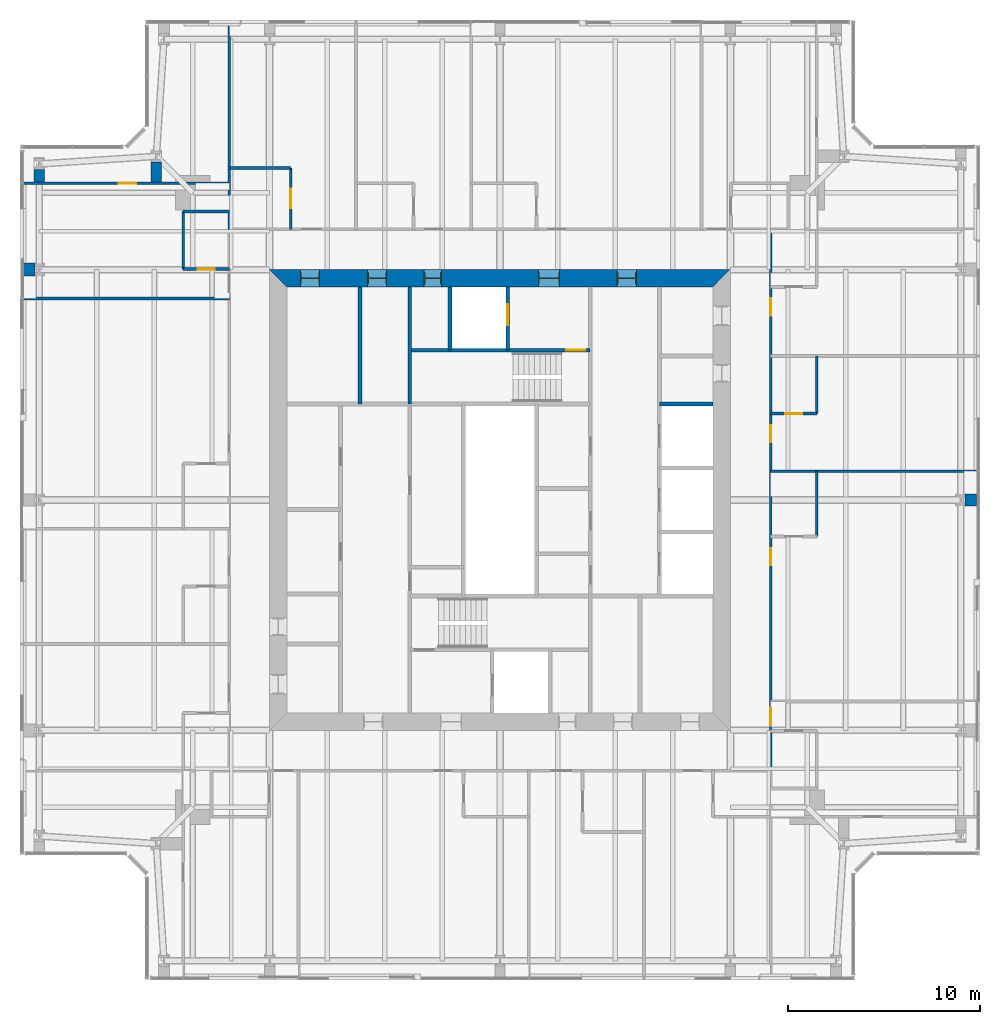
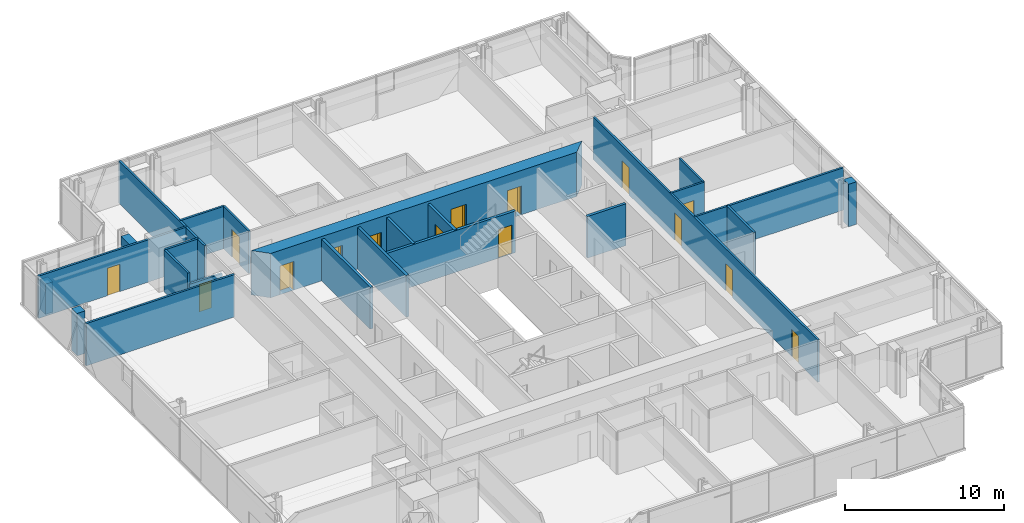
# One storey, part 14 of 18: 24 walls, 15 doors, 15 openings.
"""IFC4 building model written with IfcOpenShell, lengths in metres."""

from ifc_helpers import new_model, si_unit, direction, frame, frame_2d, origin, place, context, subcontext, project, spatial, polyline, rectangle, outline, extrude, material, layer, layer_set, type_object, element, fill, save


model = new_model("IFC4")

# Units and contexts
model_context = context("Model", 3, precision=1e-05, world=origin(), true_north=direction((0.0, 1.0)))
body_context = subcontext(model_context, "Body", "Model", "MODEL_VIEW")
ifc_project = project(units=[si_unit("LENGTHUNIT", "METRE"), si_unit("AREAUNIT", "SQUARE_METRE"), si_unit("VOLUMEUNIT", "CUBIC_METRE"), si_unit("PLANEANGLEUNIT", "RADIAN"), si_unit("MASSUNIT", "GRAM", prefix="KILO")], contexts=[model_context])

# Site, building, storey
site_placement = place(None, origin())
site = spatial("IfcSite", under=ifc_project, at=site_placement, CompositionType="ELEMENT")
building_placement = place(site_placement, origin())
building = spatial("IfcBuilding", under=site, at=building_placement, Name="Fenwick Lantern Interchange", CompositionType="ELEMENT")
storey_placement = place(building_placement, frame((0.0, 0.0, 262.800048828125)))
storey = spatial("IfcBuildingStorey", under=building, at=storey_placement, Name="L62", CompositionType="ELEMENT", Elevation=262.800048828125)

# Walls
ifc_material_1 = material(Name="Fire-rated gypsum board encasement on steel studs, 2 hour", Category="steel")
ifc_layer_1 = layer(ifc_material_1, 0.554931640625)
ifc_layer_set_1 = layer_set([ifc_layer_1], Name="COLUMN PIER 555")
wall_type_1 = type_object("IfcWallType", Name="COLUMN PIER 555", PredefinedType="PARTITIONING", material=ifc_layer_set_1)
wall_1_placement = place(storey_placement, frame((7.10009765625, 41.574951171875, 0.0), z_axis=(0.0, 0.0, 1.0), x_axis=(0.0, 1.0, 0.0)))
element("IfcWall", 1, at=wall_1_placement, inside=storey, type_object=wall_type_1, Name="L62/W/PIER/CNR", PredefinedType="PARTITIONING", context=body_context, shape_type="SweptSolid", body=[
    extrude(rectangle(XDim=1.04052734375, YDim=0.554931640625, at=frame_2d((0.520263671875, 0.0))), origin(), (0.0, 0.0, 1.0), 3.25),
])
wall_2_placement = place(storey_placement, frame((1.0, 41.574951171875, 0.0), z_axis=(0.0, 0.0, 1.0), x_axis=(0.0, 1.0, 0.0)))
element("IfcWall", 2, at=wall_2_placement, inside=storey, type_object=wall_type_1, Name="L62/W/PIER/CW1", PredefinedType="PARTITIONING", context=body_context, shape_type="SweptSolid", body=[
    extrude(rectangle(XDim=0.640625, YDim=0.554931640625, at=frame_2d((0.3203125, 0.0))), origin(), (0.0, 0.0, 1.0), 2.338134765625),
])
ifc_layer_2 = layer(ifc_material_1, 0.631103515625)
ifc_layer_set_2 = layer_set([ifc_layer_2], Name="COLUMN PIER 631")
wall_type_2 = type_object("IfcWallType", Name="COLUMN PIER 631", PredefinedType="PARTITIONING", material=ifc_layer_set_2)
wall_3_placement = place(storey_placement, frame((49.81005859375, 25.0, 0.0), z_axis=(0.0, 0.0, 1.0), x_axis=(-1.0, 0.0, 0.0)))
element("IfcWall", 3, at=wall_3_placement, inside=storey, type_object=wall_type_2, Name="L62/W/PIER/CE3", PredefinedType="PARTITIONING", context=body_context, shape_type="SweptSolid", body=[
    extrude(rectangle(XDim=0.589111328125, YDim=0.631103515625, at=frame_2d((0.29443359375, 0.0))), origin(), (0.0, 0.0, 1.0), 3.25),
])
ifc_layer_3 = layer(ifc_material_1, 0.6689453125)
ifc_layer_set_3 = layer_set([ifc_layer_3], Name="COLUMN PIER 669")
wall_type_3 = type_object("IfcWallType", Name="COLUMN PIER 669", PredefinedType="PARTITIONING", material=ifc_layer_set_3)
wall_4_placement = place(storey_placement, frame((0.18994140625, 37.0, 0.0), z_axis=(0.0, 0.0, 1.0), x_axis=(1.0, 0.0, 0.0)))
element("IfcWall", 4, at=wall_4_placement, inside=storey, type_object=wall_type_3, Name="L62/W/PIER/CW2", PredefinedType="PARTITIONING", context=body_context, shape_type="SweptSolid", body=[
    extrude(rectangle(XDim=0.582763671875, YDim=0.6689453125, at=frame_2d((0.29150390625, 0.0))), origin(), (0.0, 0.0, 1.0), 3.25),
])
ifc_material_2 = material(Name="Concrete masonry ASTM C90 Grade N", Category="masonry")
ifc_layer_4 = layer(ifc_material_2, 0.199951171875)
ifc_layer_set_4 = layer_set([ifc_layer_4], Name="Concrete masonry ASTM C90 Grade N")
wall_type_4 = type_object("IfcWallType", Name="CORE PARTITION 200", PredefinedType="PARTITIONING", material=ifc_layer_set_4)
wall_5_placement = place(storey_placement, frame((36.10009765625, 30.0, 0.0), z_axis=(0.0, 0.0, 1.0), x_axis=(-1.0, 0.0, 0.0)))
element("IfcWall", 5, at=wall_5_placement, inside=storey, type_object=wall_type_4, Name="L62/W/COREN/c2", PredefinedType="PARTITIONING", context=body_context, shape_type="SweptSolid", body=[
    extrude(rectangle(XDim=2.800048828125, YDim=0.199951171875, at=frame_2d((1.39990234375, 0.0))), origin(), (0.0, 0.0, 1.0), 3.199951171875),
])

# Wall, opening, door
wall_6_placement = place(storey_placement, frame((25.39990234375, 36.10009765625, 0.0), z_axis=(0.0, 0.0, 1.0), x_axis=(0.0, -1.0, 0.0)))
wall_6 = element("IfcWall", 6, at=wall_6_placement, inside=storey, type_object=wall_type_4, Name="L62/W/COREN/h1", PredefinedType="PARTITIONING", context=body_context, shape_type="SweptSolid", body=[
    extrude(rectangle(XDim=3.300048828125, YDim=0.199951171875, at=frame_2d((1.64990234375, 0.0))), origin(), (0.0, 0.0, 1.0), 3.199951171875),
])
opening_1_placement = place(wall_6_placement, frame((0.89990234375, 0.0, 0.0)))
opening_1 = element("IfcOpeningElement", 7, at=opening_1_placement, cuts=wall_6, Name="Opening LD-FL2", PredefinedType="OPENING", context=body_context, shape_type="SweptSolid", body=[
    extrude(rectangle(XDim=1.10009765625, YDim=2.199951171875, at=frame_2d((0.550048828125, 1.10009765625))), frame((0.0, 0.10986328125, 0.0), z_axis=(0.0, -1.0, 0.0), x_axis=(1.0, 0.0, 0.0)), (0.0, 0.0, 1.0), 0.219970703125),
])
ifc_material_3 = material(Name="Steel door and frame", Category="steel")
door_type_1 = type_object("IfcDoorType", Name="LIFT LANDING DOOR 1100 X 2200", OperationType="DOUBLE_DOOR_SLIDING", PredefinedType="DOOR", material=ifc_material_3)
door_1_placement = place(opening_1_placement, origin())
door_1 = element("IfcDoor", 8, at=door_1_placement, inside=storey, type_object=door_type_1, Name="Lift landing door FL2", OperationType="DOUBLE_DOOR_SLIDING", OverallHeight=2.199951171875, OverallWidth=1.10009765625, PredefinedType="DOOR", context=body_context, shape_type="SweptSolid", body=[
    extrude(rectangle(XDim=1.10009765625, YDim=2.199951171875, at=frame_2d((0.550048828125, 1.10009765625))), frame((0.0, 0.02490234375, 0.0), z_axis=(0.0, -1.0, 0.0), x_axis=(1.0, 0.0, 0.0)), (0.0, 0.0, 1.0), 0.050048828125),
])
fill(opening_1, door_1)

# Walls
wall_7_placement = place(storey_placement, frame((22.39990234375, 36.10009765625, 0.0), z_axis=(0.0, 0.0, 1.0), x_axis=(0.0, -1.0, 0.0)))
element("IfcWall", 9, at=wall_7_placement, inside=storey, type_object=wall_type_4, Name="L62/W/COREN/h2", PredefinedType="PARTITIONING", context=body_context, shape_type="SweptSolid", body=[
    extrude(rectangle(XDim=3.300048828125, YDim=0.199951171875, at=frame_2d((1.64990234375, 0.0))), origin(), (0.0, 0.0, 1.0), 3.199951171875),
])
wall_8_placement = place(storey_placement, frame((17.699951171875, 36.10009765625, 0.0), z_axis=(0.0, 0.0, 1.0), x_axis=(0.0, -1.0, 0.0)))
element("IfcWall", 10, at=wall_8_placement, inside=storey, type_object=wall_type_4, Name="L62/W/COREN/i2", PredefinedType="PARTITIONING", context=body_context, shape_type="SweptSolid", body=[
    extrude(rectangle(XDim=6.10009765625, YDim=0.199951171875, at=frame_2d((3.050048828125, 0.0))), origin(), (0.0, 0.0, 1.0), 3.199951171875),
])

# Wall, openings, doors
ifc_material_4 = material(Name="Concrete f'c 70 MPa", Category="concrete")
ifc_layer_5 = layer(ifc_material_4, 0.89990234375)
ifc_layer_set_5 = layer_set([ifc_layer_5], Name="CORE WALL 900")
wall_type_5 = type_object("IfcWallType", Name="CORE WALL 900", PredefinedType="SHEAR", material=ifc_layer_set_5)
wall_9_placement = place(storey_placement, frame((37.0, 36.550048828125, 0.0), z_axis=(0.0, 0.0, 1.0), x_axis=(-1.0, 0.0, 0.0)))
wall_9 = element("IfcWall", 11, at=wall_9_placement, inside=storey, type_object=wall_type_5, Name="L62/CORE/N", PredefinedType="SHEAR", context=body_context, shape_type="SweptSolid", body=[
    extrude(outline(polyline([(0.0, -0.449951171875), (24.0, -0.449951171875), (23.10009765625, 0.449951171875), (0.89990234375, 0.449951171875), (0.0, -0.449951171875)])), origin(), (0.0, 0.0, 1.0), 3.39990234375),
])
opening_2_placement = place(wall_9_placement, frame((4.89990234375, 0.0, 0.0)))
opening_2 = element("IfcOpeningElement", 12, at=opening_2_placement, cuts=wall_9, Name="Opening L62-D013", PredefinedType="OPENING", context=body_context, shape_type="SweptSolid", body=[
    extrude(rectangle(XDim=1.0, YDim=2.199951171875, at=frame_2d((0.5, 1.10009765625))), frame((0.0, 0.4599609375, 0.0), z_axis=(0.0, -1.0, 0.0), x_axis=(1.0, 0.0, 0.0)), (0.0, 0.0, 1.0), 0.919921875),
])
opening_3_placement = place(wall_9_placement, frame((8.89990234375, 0.0, 0.0)))
opening_3 = element("IfcOpeningElement", 13, at=opening_3_placement, cuts=wall_9, Name="Opening L62-D014", PredefinedType="OPENING", context=body_context, shape_type="SweptSolid", body=[
    extrude(rectangle(XDim=1.10009765625, YDim=2.199951171875, at=frame_2d((0.550048828125, 1.10009765625))), frame((0.0, 0.4599609375, 0.0), z_axis=(0.0, -1.0, 0.0), x_axis=(1.0, 0.0, 0.0)), (0.0, 0.0, 1.0), 0.919921875),
])
opening_4_placement = place(wall_9_placement, frame((15.050048828125, 0.0, 0.0)))
opening_4 = element("IfcOpeningElement", 14, at=opening_4_placement, cuts=wall_9, Name="Opening L62-D016", PredefinedType="OPENING", context=body_context, shape_type="SweptSolid", body=[
    extrude(rectangle(XDim=0.89990234375, YDim=2.199951171875, at=frame_2d((0.449951171875, 1.10009765625))), frame((0.0, 0.4599609375, 0.0), z_axis=(0.0, -1.0, 0.0), x_axis=(1.0, 0.0, 0.0)), (0.0, 0.0, 1.0), 0.919921875),
])
opening_5_placement = place(wall_9_placement, frame((17.89990234375, 0.0, 0.0)))
opening_5 = element("IfcOpeningElement", 15, at=opening_5_placement, cuts=wall_9, Name="Opening L62-D017", PredefinedType="OPENING", context=body_context, shape_type="SweptSolid", body=[
    extrude(rectangle(XDim=1.0, YDim=2.199951171875, at=frame_2d((0.5, 1.10009765625))), frame((0.0, 0.4599609375, 0.0), z_axis=(0.0, -1.0, 0.0), x_axis=(1.0, 0.0, 0.0)), (0.0, 0.0, 1.0), 0.919921875),
])
opening_6_placement = place(wall_9_placement, frame((21.39990234375, 0.0, 0.0)))
opening_6 = element("IfcOpeningElement", 16, at=opening_6_placement, cuts=wall_9, Name="Opening L62-D018", PredefinedType="OPENING", context=body_context, shape_type="SweptSolid", body=[
    extrude(rectangle(XDim=1.0, YDim=2.199951171875, at=frame_2d((0.5, 1.10009765625))), frame((0.0, 0.4599609375, 0.0), z_axis=(0.0, -1.0, 0.0), x_axis=(1.0, 0.0, 0.0)), (0.0, 0.0, 1.0), 0.919921875),
])
door_type_2 = type_object("IfcDoorType", Name="CORE LOBBY DOOR 1000 X 2200", OperationType="SINGLE_SWING_LEFT", PredefinedType="DOOR", material=ifc_material_3)
door_2_placement = place(opening_2_placement, origin())
door_2 = element("IfcDoor", 17, at=door_2_placement, inside=storey, type_object=door_type_2, Name="Core lobby door", OperationType="SINGLE_SWING_LEFT", OverallHeight=2.199951171875, OverallWidth=1.0, PredefinedType="DOOR", context=body_context, shape_type="SweptSolid", body=[
    extrude(rectangle(XDim=1.0, YDim=2.199951171875, at=frame_2d((0.5, 1.10009765625))), frame((0.0, 0.02490234375, 0.0), z_axis=(0.0, -1.0, 0.0), x_axis=(1.0, 0.0, 0.0)), (0.0, 0.0, 1.0), 0.050048828125),
    extrude(outline(polyline([(0.0, 0.0), (0.0400390625, 0.0), (0.0400390625, 2.159912109375), (0.9599609375, 2.159912109375), (0.9599609375, 0.0), (1.0, 0.0), (1.0, 2.199951171875), (0.0, 2.199951171875), (0.0, 0.0)])), frame((0.0, 0.300048828125, 0.0), z_axis=(0.0, -1.0, 0.0), x_axis=(1.0, 0.0, 0.0)), (0.0, 0.0, 1.0), 0.60009765625),
])
fill(opening_2, door_2)
door_type_3 = type_object("IfcDoorType", Name="FIRE LOBBY DOOR 1100 X 2200", OperationType="SINGLE_SWING_LEFT", PredefinedType="DOOR", material=ifc_material_3)
door_3_placement = place(opening_3_placement, origin())
door_3 = element("IfcDoor", 18, at=door_3_placement, inside=storey, type_object=door_type_3, Name="Fire lobby door", OperationType="SINGLE_SWING_LEFT", OverallHeight=2.199951171875, OverallWidth=1.10009765625, PredefinedType="DOOR", context=body_context, shape_type="SweptSolid", body=[
    extrude(rectangle(XDim=1.10009765625, YDim=2.199951171875, at=frame_2d((0.550048828125, 1.10009765625))), frame((0.0, 0.02490234375, 0.0), z_axis=(0.0, -1.0, 0.0), x_axis=(1.0, 0.0, 0.0)), (0.0, 0.0, 1.0), 0.050048828125),
    extrude(outline(polyline([(0.0, 0.0), (0.0400390625, 0.0), (0.0400390625, 2.159912109375), (1.06005859375, 2.159912109375), (1.06005859375, 0.0), (1.10009765625, 0.0), (1.10009765625, 2.199951171875), (0.0, 2.199951171875), (0.0, 0.0)])), frame((0.0, 0.300048828125, 0.0), z_axis=(0.0, -1.0, 0.0), x_axis=(1.0, 0.0, 0.0)), (0.0, 0.0, 1.0), 0.60009765625),
])
fill(opening_3, door_3)
door_type_4 = type_object("IfcDoorType", Name="SERVICE DOOR 900 X 2200", OperationType="SINGLE_SWING_LEFT", PredefinedType="DOOR", material=ifc_material_3)
door_4_placement = place(opening_4_placement, origin())
door_4 = element("IfcDoor", 19, at=door_4_placement, inside=storey, type_object=door_type_4, Name="Service door", OperationType="SINGLE_SWING_LEFT", OverallHeight=2.199951171875, OverallWidth=0.89990234375, PredefinedType="DOOR", context=body_context, shape_type="SweptSolid", body=[
    extrude(rectangle(XDim=0.89990234375, YDim=2.199951171875, at=frame_2d((0.449951171875, 1.10009765625))), frame((0.0, 0.02490234375, 0.0), z_axis=(0.0, -1.0, 0.0), x_axis=(1.0, 0.0, 0.0)), (0.0, 0.0, 1.0), 0.050048828125),
    extrude(outline(polyline([(0.0, 0.0), (0.0400390625, 0.0), (0.0400390625, 2.159912109375), (0.85986328125, 2.159912109375), (0.85986328125, 0.0), (0.89990234375, 0.0), (0.89990234375, 2.199951171875), (0.0, 2.199951171875), (0.0, 0.0)])), frame((0.0, 0.300048828125, 0.0), z_axis=(0.0, -1.0, 0.0), x_axis=(1.0, 0.0, 0.0)), (0.0, 0.0, 1.0), 0.60009765625),
])
fill(opening_4, door_4)
ifc_material_5 = material(Name="Hardwood door and steel frame", Category="steel")
door_type_5 = type_object("IfcDoorType", Name="WC DOOR 1000 X 2200", OperationType="SINGLE_SWING_LEFT", PredefinedType="DOOR", material=ifc_material_5)
door_5_placement = place(opening_5_placement, origin())
door_5 = element("IfcDoor", 20, at=door_5_placement, inside=storey, type_object=door_type_5, Name="Wc door", OperationType="SINGLE_SWING_RIGHT", OverallHeight=2.199951171875, OverallWidth=1.0, PredefinedType="DOOR", context=body_context, shape_type="SweptSolid", body=[
    extrude(rectangle(XDim=1.0, YDim=2.199951171875, at=frame_2d((0.5, 1.10009765625))), frame((0.0, 0.02490234375, 0.0), z_axis=(0.0, -1.0, 0.0), x_axis=(1.0, 0.0, 0.0)), (0.0, 0.0, 1.0), 0.050048828125),
    extrude(outline(polyline([(0.0, 0.0), (0.0400390625, 0.0), (0.0400390625, 2.159912109375), (0.9599609375, 2.159912109375), (0.9599609375, 0.0), (1.0, 0.0), (1.0, 2.199951171875), (0.0, 2.199951171875), (0.0, 0.0)])), frame((0.0, 0.300048828125, 0.0), z_axis=(0.0, -1.0, 0.0), x_axis=(1.0, 0.0, 0.0)), (0.0, 0.0, 1.0), 0.60009765625),
])
fill(opening_5, door_5)
door_6_placement = place(opening_6_placement, origin())
door_6 = element("IfcDoor", 21, at=door_6_placement, inside=storey, type_object=door_type_5, Name="Wc door", OperationType="SINGLE_SWING_RIGHT", OverallHeight=2.199951171875, OverallWidth=1.0, PredefinedType="DOOR", context=body_context, shape_type="SweptSolid", body=[
    extrude(rectangle(XDim=1.0, YDim=2.199951171875, at=frame_2d((0.5, 1.10009765625))), frame((0.0, 0.02490234375, 0.0), z_axis=(0.0, -1.0, 0.0), x_axis=(1.0, 0.0, 0.0)), (0.0, 0.0, 1.0), 0.050048828125),
    extrude(outline(polyline([(0.0, 0.0), (0.0400390625, 0.0), (0.0400390625, 2.159912109375), (0.9599609375, 2.159912109375), (0.9599609375, 0.0), (1.0, 0.0), (1.0, 2.199951171875), (0.0, 2.199951171875), (0.0, 0.0)])), frame((0.0, 0.300048828125, 0.0), z_axis=(0.0, -1.0, 0.0), x_axis=(1.0, 0.0, 0.0)), (0.0, 0.0, 1.0), 0.60009765625),
])
fill(opening_6, door_6)

ifc_material_6 = material(Name="Gypsum board on steel studs, 1 hour", Category="steel")
ifc_layer_6 = layer(ifc_material_6, 0.14990234375)
ifc_layer_set_6 = layer_set([ifc_layer_6], Name="CORRIDOR WALL 150")
wall_type_6 = type_object("IfcWallType", Name="CORRIDOR WALL 150", PredefinedType="PARTITIONING", material=ifc_layer_set_6)
wall_10_placement = place(storey_placement, frame((39.10009765625, 10.89990234375, 0.0), z_axis=(0.0, 0.0, 1.0), x_axis=(0.0, 1.0, 0.0)))
wall_10 = element("IfcWall", 22, at=wall_10_placement, inside=storey, type_object=wall_type_6, Name="L62/W/HOTEL/E/CW", PredefinedType="PARTITIONING", context=body_context, shape_type="SweptSolid", body=[
    extrude(rectangle(XDim=28.2001953125, YDim=0.14990234375, at=frame_2d((14.10009765625, 0.0))), origin(), (0.0, 0.0, 1.0), 3.25),
])
opening_7_placement = place(wall_10_placement, frame((2.375, 0.0, 0.0)))
opening_7 = element("IfcOpeningElement", 23, at=opening_7_placement, cuts=wall_10, Name="Opening L62-D035", PredefinedType="OPENING", context=body_context, shape_type="SweptSolid", body=[
    extrude(rectangle(XDim=0.89990234375, YDim=2.10009765625, at=frame_2d((0.449951171875, 1.050048828125))), frame((0.0, 0.0849609375, 0.0), z_axis=(0.0, -1.0, 0.0), x_axis=(1.0, 0.0, 0.0)), (0.0, 0.0, 1.0), 0.169921875),
])
opening_8_placement = place(wall_10_placement, frame((10.699951171875, 0.0, 0.0)))
opening_8 = element("IfcOpeningElement", 24, at=opening_8_placement, cuts=wall_10, Name="Opening L62-D037", PredefinedType="OPENING", context=body_context, shape_type="SweptSolid", body=[
    extrude(rectangle(XDim=0.89990234375, YDim=2.10009765625, at=frame_2d((0.449951171875, 1.050048828125))), frame((0.0, 0.0849609375, 0.0), z_axis=(0.0, -1.0, 0.0), x_axis=(1.0, 0.0, 0.0)), (0.0, 0.0, 1.0), 0.169921875),
])
opening_9_placement = place(wall_10_placement, frame((17.10009765625, 0.0, 0.0)))
opening_9 = element("IfcOpeningElement", 25, at=opening_9_placement, cuts=wall_10, Name="Opening L62-D039", PredefinedType="OPENING", context=body_context, shape_type="SweptSolid", body=[
    extrude(rectangle(XDim=0.89990234375, YDim=2.10009765625, at=frame_2d((0.449951171875, 1.050048828125))), frame((0.0, 0.0849609375, 0.0), z_axis=(0.0, -1.0, 0.0), x_axis=(1.0, 0.0, 0.0)), (0.0, 0.0, 1.0), 0.169921875),
])
opening_10_placement = place(wall_10_placement, frame((23.699951171875, 0.0, 0.0)))
opening_10 = element("IfcOpeningElement", 26, at=opening_10_placement, cuts=wall_10, Name="Opening L62-D041", PredefinedType="OPENING", context=body_context, shape_type="SweptSolid", body=[
    extrude(rectangle(XDim=0.89990234375, YDim=2.10009765625, at=frame_2d((0.449951171875, 1.050048828125))), frame((0.0, 0.0849609375, 0.0), z_axis=(0.0, -1.0, 0.0), x_axis=(1.0, 0.0, 0.0)), (0.0, 0.0, 1.0), 0.169921875),
])
door_type_6 = type_object("IfcDoorType", Name="GUEST ROOM DOOR 900 X 2100", OperationType="SINGLE_SWING_LEFT", PredefinedType="DOOR", material=ifc_material_3)
door_7_placement = place(opening_7_placement, frame((0.89990234375, 0.0, 0.0), z_axis=(0.0, 0.0, 1.0), x_axis=(-1.0, 0.0, 0.0)))
door_7 = element("IfcDoor", 27, at=door_7_placement, inside=storey, type_object=door_type_6, Name="Guest room door", OperationType="SINGLE_SWING_RIGHT", OverallHeight=2.10009765625, OverallWidth=0.89990234375, PredefinedType="DOOR", context=body_context, shape_type="SweptSolid", body=[
    extrude(rectangle(XDim=0.89990234375, YDim=2.10009765625, at=frame_2d((0.449951171875, 1.050048828125))), frame((0.0, 0.02490234375, 0.0), z_axis=(0.0, -1.0, 0.0), x_axis=(1.0, 0.0, 0.0)), (0.0, 0.0, 1.0), 0.050048828125),
])
fill(opening_7, door_7)
door_8_placement = place(opening_8_placement, frame((0.89990234375, 0.0, 0.0), z_axis=(0.0, 0.0, 1.0), x_axis=(-1.0, 0.0, 0.0)))
door_8 = element("IfcDoor", 28, at=door_8_placement, inside=storey, type_object=door_type_6, Name="Guest room door", OperationType="SINGLE_SWING_LEFT", OverallHeight=2.10009765625, OverallWidth=0.89990234375, PredefinedType="DOOR", context=body_context, shape_type="SweptSolid", body=[
    extrude(rectangle(XDim=0.89990234375, YDim=2.10009765625, at=frame_2d((0.449951171875, 1.050048828125))), frame((0.0, 0.02490234375, 0.0), z_axis=(0.0, -1.0, 0.0), x_axis=(1.0, 0.0, 0.0)), (0.0, 0.0, 1.0), 0.050048828125),
])
fill(opening_8, door_8)
door_9_placement = place(opening_9_placement, frame((0.89990234375, 0.0, 0.0), z_axis=(0.0, 0.0, 1.0), x_axis=(-1.0, 0.0, 0.0)))
door_9 = element("IfcDoor", 29, at=door_9_placement, inside=storey, type_object=door_type_6, Name="Guest room door", OperationType="SINGLE_SWING_LEFT", OverallHeight=2.10009765625, OverallWidth=0.89990234375, PredefinedType="DOOR", context=body_context, shape_type="SweptSolid", body=[
    extrude(rectangle(XDim=0.89990234375, YDim=2.10009765625, at=frame_2d((0.449951171875, 1.050048828125))), frame((0.0, 0.02490234375, 0.0), z_axis=(0.0, -1.0, 0.0), x_axis=(1.0, 0.0, 0.0)), (0.0, 0.0, 1.0), 0.050048828125),
])
fill(opening_9, door_9)
door_10_placement = place(opening_10_placement, frame((0.89990234375, 0.0, 0.0), z_axis=(0.0, 0.0, 1.0), x_axis=(-1.0, 0.0, 0.0)))
door_10 = element("IfcDoor", 30, at=door_10_placement, inside=storey, type_object=door_type_6, Name="Guest room door", OperationType="SINGLE_SWING_LEFT", OverallHeight=2.10009765625, OverallWidth=0.89990234375, PredefinedType="DOOR", context=body_context, shape_type="SweptSolid", body=[
    extrude(rectangle(XDim=0.89990234375, YDim=2.10009765625, at=frame_2d((0.449951171875, 1.050048828125))), frame((0.0, 0.02490234375, 0.0), z_axis=(0.0, -1.0, 0.0), x_axis=(1.0, 0.0, 0.0)), (0.0, 0.0, 1.0), 0.050048828125),
])
fill(opening_10, door_10)

# Walls
ifc_material_7 = material(Name="Gypsum board on steel studs, moisture resistant", Category="steel")
ifc_layer_7 = layer(ifc_material_7, 0.14990234375)
ifc_layer_set_7 = layer_set([ifc_layer_7], Name="EN-SUITE WALL 150")
wall_type_7 = type_object("IfcWallType", Name="EN-SUITE WALL 150", PredefinedType="PARTITIONING", material=ifc_layer_set_7)
wall_11_placement = place(storey_placement, frame((41.5, 23.10009765625, 0.0), z_axis=(0.0, 0.0, 1.0), x_axis=(0.0, 1.0, 0.0)))
element("IfcWall", 31, at=wall_11_placement, inside=storey, type_object=wall_type_7, Name="L62/W/HOTEL/E/U2BW", PredefinedType="PARTITIONING", context=body_context, shape_type="SweptSolid", body=[
    extrude(rectangle(XDim=3.39990234375, YDim=0.14990234375, at=frame_2d((1.699951171875, 0.0))), origin(), (0.0, 0.0, 1.0), 3.25),
])
wall_12_placement = place(storey_placement, frame((41.5, 29.5, 0.0), z_axis=(0.0, 0.0, 1.0), x_axis=(0.0, 1.0, 0.0)))
element("IfcWall", 32, at=wall_12_placement, inside=storey, type_object=wall_type_7, Name="L62/W/HOTEL/E/U3BW", PredefinedType="PARTITIONING", context=body_context, shape_type="SweptSolid", body=[
    extrude(rectangle(XDim=3.0, YDim=0.14990234375, at=frame_2d((1.5, 0.0))), origin(), (0.0, 0.0, 1.0), 3.25),
])

# Wall, opening, door
wall_13_placement = place(storey_placement, frame((41.5, 29.5, 0.0), z_axis=(0.0, 0.0, 1.0), x_axis=(-1.0, 0.0, 0.0)))
wall_13 = element("IfcWall", 33, at=wall_13_placement, inside=storey, type_object=wall_type_7, Name="L62/W/HOTEL/E/U3BX", PredefinedType="PARTITIONING", context=body_context, shape_type="SweptSolid", body=[
    extrude(rectangle(XDim=2.39990234375, YDim=0.14990234375, at=frame_2d((1.199951171875, 0.0))), origin(), (0.0, 0.0, 1.0), 3.25),
])
opening_11_placement = place(wall_13_placement, frame((0.75, 0.0, 0.0)))
opening_11 = element("IfcOpeningElement", 34, at=opening_11_placement, cuts=wall_13, Name="Opening L62-D038", PredefinedType="OPENING", context=body_context, shape_type="SweptSolid", body=[
    extrude(rectangle(XDim=0.89990234375, YDim=2.10009765625, at=frame_2d((0.449951171875, 1.050048828125))), frame((0.0, 0.0849609375, 0.0), z_axis=(0.0, -1.0, 0.0), x_axis=(1.0, 0.0, 0.0)), (0.0, 0.0, 1.0), 0.169921875),
])
door_type_7 = type_object("IfcDoorType", Name="EN-SUITE DOOR 900 X 2100", OperationType="SINGLE_SWING_LEFT", PredefinedType="DOOR", material=ifc_material_5)
door_11_placement = place(opening_11_placement, frame((0.89990234375, 0.0, 0.0), z_axis=(0.0, 0.0, 1.0), x_axis=(-1.0, 0.0, 0.0)))
door_11 = element("IfcDoor", 35, at=door_11_placement, inside=storey, type_object=door_type_7, Name="En-suite door", OperationType="SINGLE_SWING_RIGHT", OverallHeight=2.10009765625, OverallWidth=0.89990234375, PredefinedType="DOOR", context=body_context, shape_type="SweptSolid", body=[
    extrude(rectangle(XDim=0.89990234375, YDim=2.10009765625, at=frame_2d((0.449951171875, 1.050048828125))), frame((0.0, 0.02490234375, 0.0), z_axis=(0.0, -1.0, 0.0), x_axis=(1.0, 0.0, 0.0)), (0.0, 0.0, 1.0), 0.050048828125),
])
fill(opening_11, door_11)

# Wall
wall_14_placement = place(storey_placement, frame((14.10009765625, 42.300048828125, 0.0), z_axis=(0.0, 0.0, 1.0), x_axis=(-1.0, 0.0, 0.0)))
element("IfcWall", 36, at=wall_14_placement, inside=storey, type_object=wall_type_7, Name="L62/W/HOTEL/N/U4BW", PredefinedType="PARTITIONING", context=body_context, shape_type="SweptSolid", body=[
    extrude(rectangle(XDim=3.2001953125, YDim=0.14990234375, at=frame_2d((1.60009765625, 0.0))), origin(), (0.0, 0.0, 1.0), 3.25),
])

# Wall, opening, door
wall_15_placement = place(storey_placement, frame((14.10009765625, 42.300048828125, 0.0), z_axis=(0.0, 0.0, 1.0), x_axis=(0.0, -1.0, 0.0)))
wall_15 = element("IfcWall", 37, at=wall_15_placement, inside=storey, type_object=wall_type_7, Name="L62/W/HOTEL/N/U4BX", PredefinedType="PARTITIONING", context=body_context, shape_type="SweptSolid", body=[
    extrude(rectangle(XDim=3.199951171875, YDim=0.14990234375, at=frame_2d((1.60009765625, 0.0))), origin(), (0.0, 0.0, 1.0), 3.25),
])
opening_12_placement = place(wall_15_placement, frame((1.10009765625, 0.0, 0.0)))
opening_12 = element("IfcOpeningElement", 38, at=opening_12_placement, cuts=wall_15, Name="Opening L62-D049", PredefinedType="OPENING", context=body_context, shape_type="SweptSolid", body=[
    extrude(rectangle(XDim=1.0, YDim=2.10009765625, at=frame_2d((0.5, 1.050048828125))), frame((0.0, 0.0849609375, 0.0), z_axis=(0.0, -1.0, 0.0), x_axis=(1.0, 0.0, 0.0)), (0.0, 0.0, 1.0), 0.169921875),
])
door_type_8 = type_object("IfcDoorType", Name="EN-SUITE DOOR 1000 X 2100", OperationType="SINGLE_SWING_LEFT", PredefinedType="DOOR", material=ifc_material_5)
door_12_placement = place(opening_12_placement, frame((1.0, 0.0, 0.0), z_axis=(0.0, 0.0, 1.0), x_axis=(-1.0, 0.0, 0.0)))
door_12 = element("IfcDoor", 39, at=door_12_placement, inside=storey, type_object=door_type_8, Name="En-suite door", OperationType="SINGLE_SWING_RIGHT", OverallHeight=2.10009765625, OverallWidth=1.0, PredefinedType="DOOR", context=body_context, shape_type="SweptSolid", body=[
    extrude(rectangle(XDim=1.0, YDim=2.10009765625, at=frame_2d((0.5, 1.050048828125))), frame((0.0, 0.02490234375, 0.0), z_axis=(0.0, -1.0, 0.0), x_axis=(1.0, 0.0, 0.0)), (0.0, 0.0, 1.0), 0.050048828125),
])
fill(opening_12, door_12)

# Wall
wall_16_placement = place(storey_placement, frame((8.5, 40.02490234375, 0.0), z_axis=(0.0, 0.0, 1.0), x_axis=(0.0, -1.0, 0.0)))
element("IfcWall", 40, at=wall_16_placement, inside=storey, type_object=wall_type_7, Name="L62/W/HOTEL/W/U1BW", PredefinedType="PARTITIONING", context=body_context, shape_type="SweptSolid", body=[
    extrude(rectangle(XDim=3.0, YDim=0.14990234375, at=frame_2d((1.5, 0.0))), origin(), (0.0, 0.0, 1.0), 3.25),
])

# Wall, opening, door
wall_17_placement = place(storey_placement, frame((8.5, 37.02490234375, 0.0), z_axis=(0.0, 0.0, 1.0), x_axis=(1.0, 0.0, 0.0)))
wall_17 = element("IfcWall", 41, at=wall_17_placement, inside=storey, type_object=wall_type_7, Name="L62/W/HOTEL/W/U1BX", PredefinedType="PARTITIONING", context=body_context, shape_type="SweptSolid", body=[
    extrude(rectangle(XDim=2.39990234375, YDim=0.14990234375, at=frame_2d((1.199951171875, 0.0))), origin(), (0.0, 0.0, 1.0), 2.404052734375),
])
opening_13_placement = place(wall_17_placement, frame((0.75, 0.0, 0.0)))
opening_13 = element("IfcOpeningElement", 42, at=opening_13_placement, cuts=wall_17, Name="Opening L62-D051", PredefinedType="OPENING", context=body_context, shape_type="SweptSolid", body=[
    extrude(rectangle(XDim=0.89990234375, YDim=2.10009765625, at=frame_2d((0.449951171875, 1.050048828125))), frame((0.0, 0.0849609375, 0.0), z_axis=(0.0, -1.0, 0.0), x_axis=(1.0, 0.0, 0.0)), (0.0, 0.0, 1.0), 0.169921875),
])
door_13_placement = place(opening_13_placement, origin())
door_13 = element("IfcDoor", 43, at=door_13_placement, inside=storey, type_object=door_type_7, Name="En-suite door", OperationType="SINGLE_SWING_LEFT", OverallHeight=2.10009765625, OverallWidth=0.89990234375, PredefinedType="DOOR", context=body_context, shape_type="SweptSolid", body=[
    extrude(rectangle(XDim=0.89990234375, YDim=2.10009765625, at=frame_2d((0.449951171875, 1.050048828125))), frame((0.0, 0.02490234375, 0.0), z_axis=(0.0, -1.0, 0.0), x_axis=(1.0, 0.0, 0.0)), (0.0, 0.0, 1.0), 0.050048828125),
])
fill(opening_13, door_13)

# Walls
wall_18_placement = place(storey_placement, frame((8.5, 40.02490234375, 0.0), z_axis=(0.0, 0.0, 1.0), x_axis=(1.0, 0.0, 0.0)))
element("IfcWall", 44, at=wall_18_placement, inside=storey, type_object=wall_type_7, Name="L62/W/HOTEL/W/U1BV", PredefinedType="PARTITIONING", context=body_context, shape_type="SweptSolid", body=[
    extrude(rectangle(XDim=2.39990234375, YDim=0.14990234375, at=frame_2d((1.199951171875, 0.0))), origin(), (0.0, 0.0, 1.0), 3.25),
])
ifc_material_8 = material(Name="Gypsum board on steel studs, 1 hour acoustic", Category="steel")
ifc_layer_8 = layer(ifc_material_8, 0.14990234375)
ifc_layer_set_8 = layer_set([ifc_layer_8], Name="PARTY WALL 150")
wall_type_8 = type_object("IfcWallType", Name="PARTY WALL 150", PredefinedType="PARTITIONING", material=ifc_layer_set_8)
for number, where, z_axis, x_axis, name in (
    (45, (49.85009765625, 26.5, 0.0), (0.0, 0.0, 1.0), (-1.0, 0.0, 0.0), "L62/W/HOTEL/E/U3PW"),
    (46, (10.89990234375, 49.85009765625, 0.0), (0.0, 0.0, 1.0), (0.0, -1.0, 0.0), "L62/W/HOTEL/W/SW3"),
    (47, (0.14990234375, 35.5, 0.0), (0.0, 0.0, 1.0), (1.0, 0.0, 0.0), "L62/W/HOTEL/W/U2PW"),
):
    element("IfcWall", number, at=place(storey_placement, frame(where, z_axis=z_axis, x_axis=x_axis)), inside=storey, type_object=wall_type_8, Name=name, PredefinedType="PARTITIONING", context=body_context, shape_type="SweptSolid", body=[
        extrude(rectangle(XDim=10.75, YDim=0.14990234375, at=frame_2d((5.375, 0.0))), origin(), (0.0, 0.0, 1.0), 3.25),
    ])

# Wall, opening, door
ifc_material_9 = material(Name="Concrete f'c 45 MPa", Category="concrete")
ifc_layer_9 = layer(ifc_material_9, 0.199951171875)
ifc_layer_set_9 = layer_set([ifc_layer_9], Name="STAIR CORE WALL 200")
wall_type_9 = type_object("IfcWallType", Name="STAIR CORE WALL 200", PredefinedType="SOLIDWALL", material=ifc_layer_set_9)
wall_19_placement = place(storey_placement, frame((29.699951171875, 32.800048828125, 0.0), z_axis=(0.0, 0.0, 1.0), x_axis=(-1.0, 0.0, 0.0)))
wall_19 = element("IfcWall", 48, at=wall_19_placement, inside=storey, type_object=wall_type_9, Name="L62/W/COREN/g1", PredefinedType="SOLIDWALL", context=body_context, shape_type="SweptSolid", body=[
    extrude(rectangle(XDim=9.39990234375, YDim=0.199951171875, at=frame_2d((4.699951171875, 0.0))), origin(), (0.0, 0.0, 1.0), 3.199951171875),
])
opening_14_placement = place(wall_19_placement, frame((0.25, 0.0, 0.0)))
opening_14 = element("IfcOpeningElement", 49, at=opening_14_placement, cuts=wall_19, Name="Opening L62-D015", PredefinedType="OPENING", context=body_context, shape_type="SweptSolid", body=[
    extrude(rectangle(XDim=1.0, YDim=2.199951171875, at=frame_2d((0.5, 1.10009765625))), frame((0.0, 0.10986328125, 0.0), z_axis=(0.0, -1.0, 0.0), x_axis=(1.0, 0.0, 0.0)), (0.0, 0.0, 1.0), 0.219970703125),
])
door_type_9 = type_object("IfcDoorType", Name="STAIR DOOR 1000 X 2200", OperationType="SINGLE_SWING_LEFT", PredefinedType="DOOR", material=ifc_material_3)
door_14_placement = place(opening_14_placement, origin())
door_14 = element("IfcDoor", 50, at=door_14_placement, inside=storey, type_object=door_type_9, Name="Stair door", OperationType="SINGLE_SWING_LEFT", OverallHeight=2.199951171875, OverallWidth=1.0, PredefinedType="DOOR", context=body_context, shape_type="SweptSolid", body=[
    extrude(rectangle(XDim=1.0, YDim=2.199951171875, at=frame_2d((0.5, 1.10009765625))), frame((0.0, 0.02490234375, 0.0), z_axis=(0.0, -1.0, 0.0), x_axis=(1.0, 0.0, 0.0)), (0.0, 0.0, 1.0), 0.050048828125),
])
fill(opening_14, door_14)

# Wall
wall_20_placement = place(storey_placement, frame((20.300048828125, 36.10009765625, 0.0), z_axis=(0.0, 0.0, 1.0), x_axis=(0.0, -1.0, 0.0)))
element("IfcWall", 51, at=wall_20_placement, inside=storey, type_object=wall_type_9, Name="L62/W/COREN/i1", PredefinedType="SOLIDWALL", context=body_context, shape_type="SweptSolid", body=[
    extrude(rectangle(XDim=6.10009765625, YDim=0.199951171875, at=frame_2d((3.050048828125, 0.0))), origin(), (0.0, 0.0, 1.0), 3.199951171875),
])

# Wall, opening, door
ifc_material_10 = material(Name="Gypsum board on steel studs, acoustic", Category="steel")
ifc_layer_10 = layer(ifc_material_10, 0.14990234375)
ifc_layer_set_10 = layer_set([ifc_layer_10], Name="SUITE PARTITION 150")
wall_type_10 = type_object("IfcWallType", Name="SUITE PARTITION 150", PredefinedType="PARTITIONING", material=ifc_layer_set_10)
wall_21_placement = place(storey_placement, frame((0.14990234375, 41.5, 0.0), z_axis=(0.0, 0.0, 1.0), x_axis=(1.0, 0.0, 0.0)))
wall_21 = element("IfcWall", 52, at=wall_21_placement, inside=storey, type_object=wall_type_10, Name="L62/W/HOTEL/W/U1P", PredefinedType="PARTITIONING", context=body_context, shape_type="SweptSolid", body=[
    extrude(rectangle(XDim=10.75, YDim=0.14990234375, at=frame_2d((5.375, 0.0))), origin(), (0.0, 0.0, 1.0), 3.25),
])
opening_15_placement = place(wall_21_placement, frame((5.0, 0.0, 0.0)))
opening_15 = element("IfcOpeningElement", 53, at=opening_15_placement, cuts=wall_21, Name="Opening L62-D052", PredefinedType="OPENING", context=body_context, shape_type="SweptSolid", body=[
    extrude(rectangle(XDim=0.89990234375, YDim=2.10009765625, at=frame_2d((0.449951171875, 1.050048828125))), frame((0.0, 0.0849609375, 0.0), z_axis=(0.0, -1.0, 0.0), x_axis=(1.0, 0.0, 0.0)), (0.0, 0.0, 1.0), 0.169921875),
])
door_type_10 = type_object("IfcDoorType", Name="SUITE INTERNAL DOOR 900 X 2100", OperationType="SINGLE_SWING_LEFT", PredefinedType="DOOR", material=ifc_material_5)
door_15_placement = place(opening_15_placement, origin())
door_15 = element("IfcDoor", 54, at=door_15_placement, inside=storey, type_object=door_type_10, Name="Suite internal door", OperationType="SINGLE_SWING_RIGHT", OverallHeight=2.10009765625, OverallWidth=0.89990234375, PredefinedType="DOOR", context=body_context, shape_type="SweptSolid", body=[
    extrude(rectangle(XDim=0.89990234375, YDim=2.10009765625, at=frame_2d((0.449951171875, 1.050048828125))), frame((0.0, 0.02490234375, 0.0), z_axis=(0.0, -1.0, 0.0), x_axis=(1.0, 0.0, 0.0)), (0.0, 0.0, 1.0), 0.050048828125),
])
fill(opening_15, door_15)

save(model, "model.ifc")
